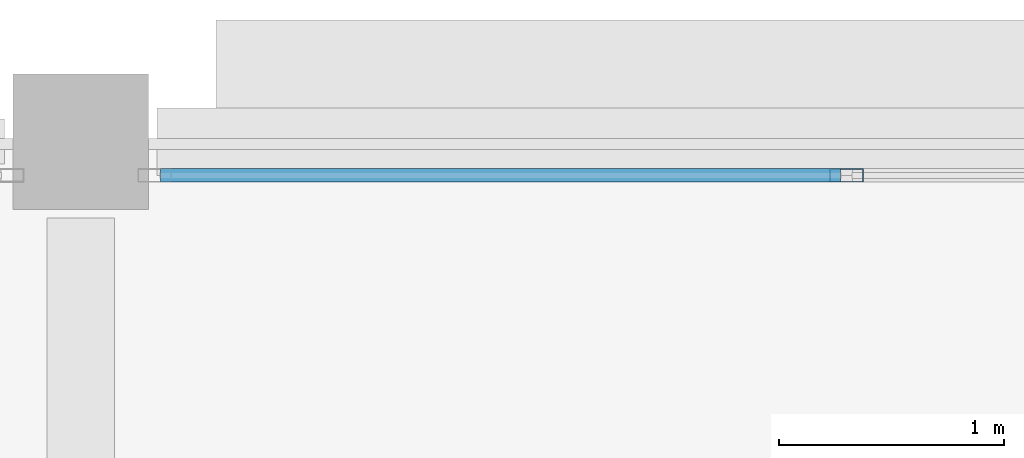
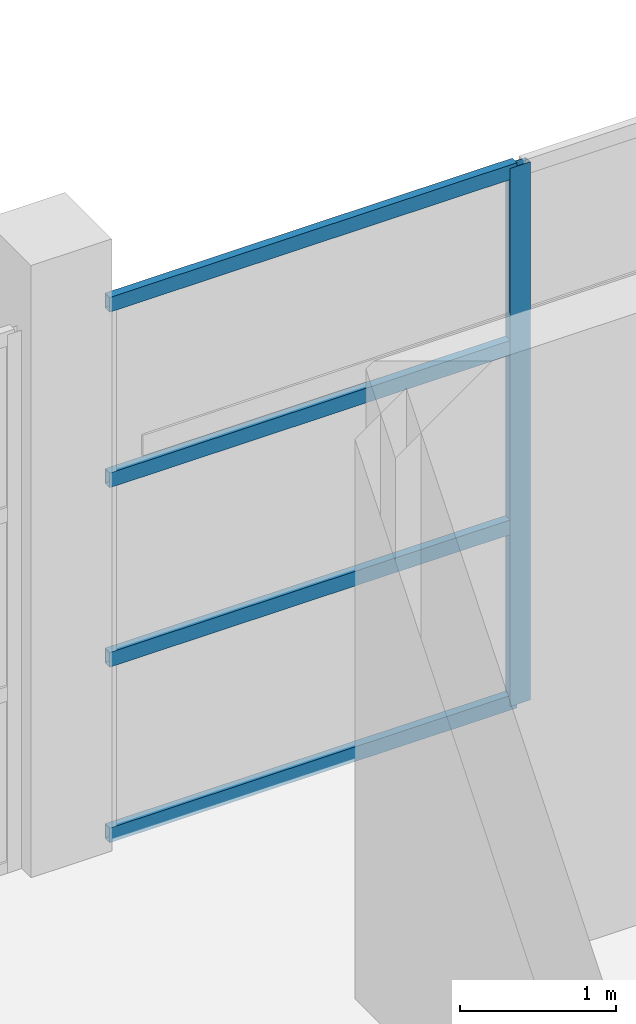
# One storey, part 102 of 134: 5 members, 1 element without a shape of its own.
"""IFC4 building model written with IfcOpenShell, lengths in metres."""

from ifc_helpers import new_model, si_unit, direction, frame, origin, origin_2d, place, context, subcontext, project, spatial, hollow_rectangle, extrude, material, layer, layer_set, material_profile, profile_set, type_object, element, aggregate, save


model = new_model("IFC4")

# Units and contexts
model_context = context("Model", 3, precision=1e-05, world=origin(), true_north=direction((0.0, 1.0)))
body_context = subcontext(model_context, "Body", "Model", "MODEL_VIEW")
ifc_project = project(units=[si_unit("LENGTHUNIT", "METRE"), si_unit("AREAUNIT", "SQUARE_METRE"), si_unit("VOLUMEUNIT", "CUBIC_METRE"), si_unit("PLANEANGLEUNIT", "RADIAN"), si_unit("MASSUNIT", "GRAM", prefix="KILO")], contexts=[model_context])

# Site, building, storey
site_placement = place(None, origin())
site = spatial("IfcSite", under=ifc_project, at=site_placement, CompositionType="ELEMENT")
building_placement = place(site_placement, origin())
building = spatial("IfcBuilding", under=site, at=building_placement, Name="Tamarisk Ironworks Central Station", CompositionType="ELEMENT")
storey_placement = place(building_placement, frame((0.0, 0.0, 12.60009765625)))
storey = spatial("IfcBuildingStorey", under=building, at=storey_placement, Name="L02", CompositionType="ELEMENT", Elevation=12.60009765625)

# Curtain wall, members
ifc_material = material(Name="Anodized aluminium alloy 6063-T6", Category="aluminium")
ifc_layer = layer(ifc_material, 0.179931640625)
ifc_layer_set = layer_set([ifc_layer], Name="Anodized aluminium alloy 6063-T6")
curtain_wall_type = type_object("IfcCurtainWallType", Name="CW-17", PredefinedType="USERDEFINED", material=ifc_layer_set)
curtain_wall_placement = place(storey_placement, origin())
curtain_wall = element("IfcCurtainWall", 1, at=curtain_wall_placement, inside=storey, type_object=curtain_wall_type, Name="Operations L02 north facade curtain wall 140", ObjectType="GLAZED CURTAIN WALL", PredefinedType="USERDEFINED")
ifc_material_profile_1 = material_profile(ifc_material, hollow_rectangle(XDim=0.06005859375, YDim=0.14990234375, WallThickness=0.00341796875, at=origin_2d()), Name="ALUM 150x60")
ifc_profile_set_1 = profile_set([ifc_material_profile_1], Name="Anodized aluminium alloy 6063-T6")
member_type_1 = type_object("IfcMemberType", Name="CWM-03", PredefinedType="MULLION", material=ifc_profile_set_1)
member_1_placement = place(storey_placement, frame((143.39892578125, 122.25, 0.0), z_axis=(0.0, 0.0, 1.0), x_axis=(0.0, 1.0, 0.0)))
member_1 = element("IfcMember", 2, at=member_1_placement, type_object=member_type_1, Name="CW17 mullion 2", PredefinedType="MULLION", context=body_context, shape_type="SweptSolid", body=[
    extrude(hollow_rectangle(XDim=0.06005859375, YDim=0.14990234375, WallThickness=0.00341796875, at=origin_2d()), origin(), (0.0, 0.0, 1.0), 4.219970703125),
])
ifc_material_profile_2 = material_profile(ifc_material, hollow_rectangle(XDim=0.06005859375, YDim=0.114990234375, WallThickness=0.00341796875, at=origin_2d()), Name="ALUM 115x60")
ifc_profile_set_2 = profile_set([ifc_material_profile_2], Name="Anodized aluminium alloy 6063-T6")
member_type_2 = type_object("IfcMemberType", Name="CWT-03", PredefinedType="USERDEFINED", material=ifc_profile_set_2)
member_2_placement = place(storey_placement, frame((140.35400390625, 122.25, 0.02978515625), z_axis=(1.0, 0.0, 0.0), x_axis=(0.0, 1.0, 0.0)))
member_2 = element("IfcMember", 3, at=member_2_placement, type_object=member_type_2, Name="CW17 transom 1.1", ObjectType="TRANSOM", PredefinedType="USERDEFINED", context=body_context, shape_type="SweptSolid", body=[
    extrude(hollow_rectangle(XDim=0.06005859375, YDim=0.114990234375, WallThickness=0.00341796875, at=origin_2d()), origin(), (0.0, 0.0, 1.0), 3.01904296875),
])
member_3_placement = place(storey_placement, frame((140.35400390625, 122.25, 1.406494140625), z_axis=(1.0, 0.0, 0.0), x_axis=(0.0, 1.0, 0.0)))
member_3 = element("IfcMember", 4, at=member_3_placement, type_object=member_type_2, Name="CW17 transom 1.2", ObjectType="TRANSOM", PredefinedType="USERDEFINED", context=body_context, shape_type="SweptSolid", body=[
    extrude(hollow_rectangle(XDim=0.06005859375, YDim=0.114990234375, WallThickness=0.00341796875, at=origin_2d()), origin(), (0.0, 0.0, 1.0), 3.01904296875),
])
member_4_placement = place(storey_placement, frame((140.35400390625, 122.25, 2.813232421875), z_axis=(1.0, 0.0, 0.0), x_axis=(0.0, 1.0, 0.0)))
member_4 = element("IfcMember", 5, at=member_4_placement, type_object=member_type_2, Name="CW17 transom 1.3", ObjectType="TRANSOM", PredefinedType="USERDEFINED", context=body_context, shape_type="SweptSolid", body=[
    extrude(hollow_rectangle(XDim=0.06005859375, YDim=0.114990234375, WallThickness=0.00341796875, at=origin_2d()), origin(), (0.0, 0.0, 1.0), 3.01904296875),
])
member_5_placement = place(storey_placement, frame((140.35400390625, 122.25, 4.18994140625), z_axis=(1.0, 0.0, 0.0), x_axis=(0.0, 1.0, 0.0)))
member_5 = element("IfcMember", 6, at=member_5_placement, type_object=member_type_2, Name="CW17 transom 1.4", ObjectType="TRANSOM", PredefinedType="USERDEFINED", context=body_context, shape_type="SweptSolid", body=[
    extrude(hollow_rectangle(XDim=0.06005859375, YDim=0.114990234375, WallThickness=0.00341796875, at=origin_2d()), origin(), (0.0, 0.0, 1.0), 3.01904296875),
])
aggregate(curtain_wall, [member_1, member_2, member_3, member_4, member_5])

save(model, "model.ifc")
